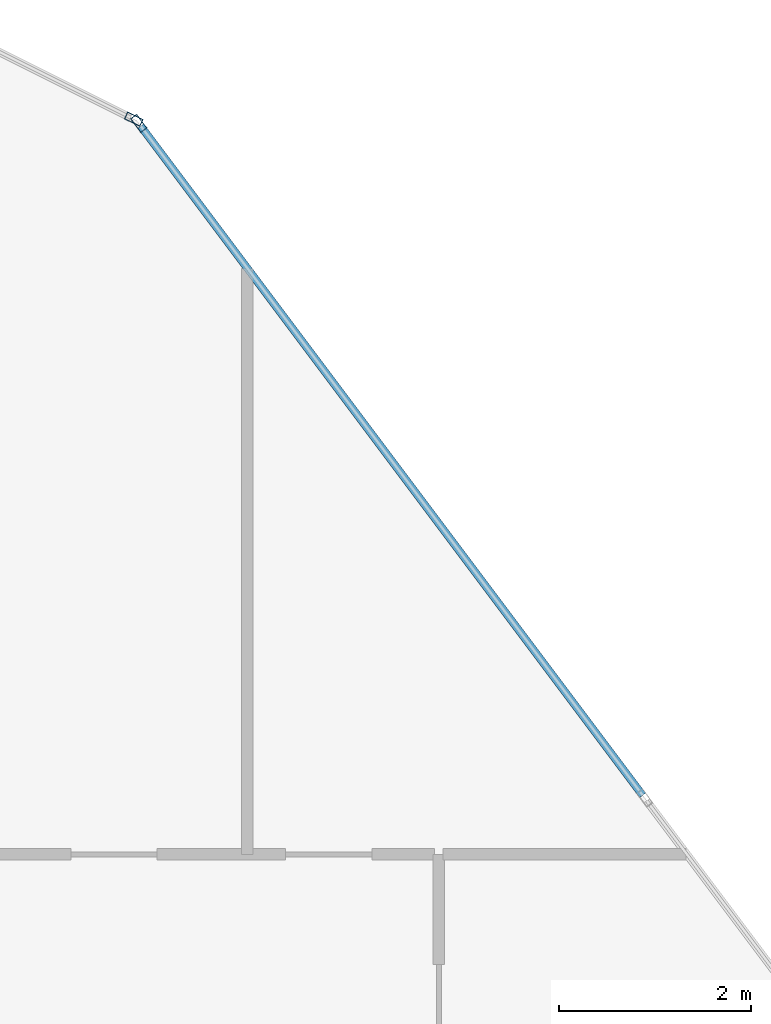
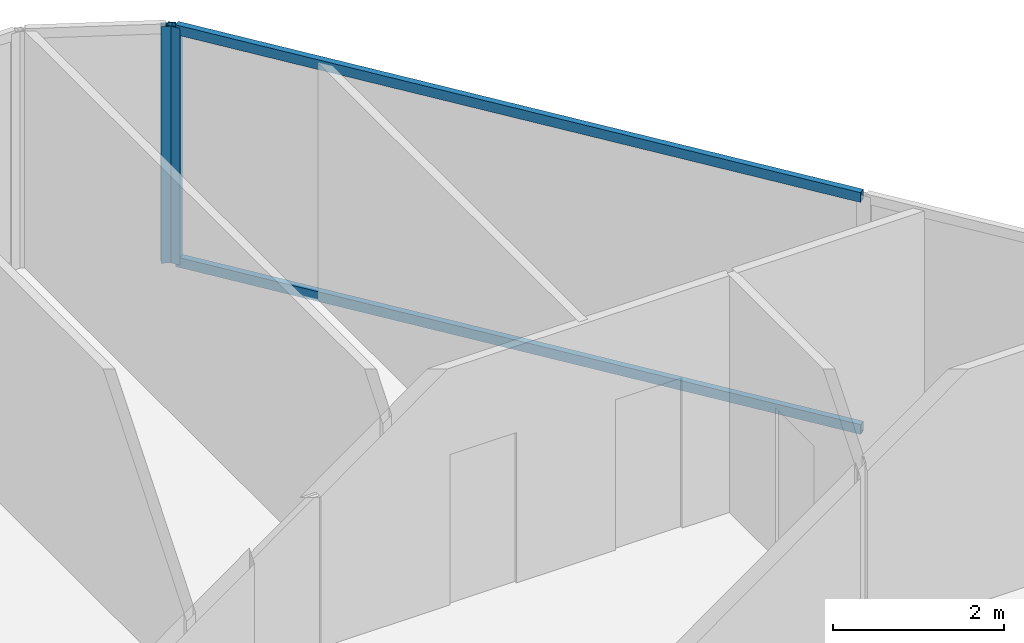
# One storey, part 22 of 32: 4 members, 2 elements without a shape of their own.
"""IFC4 building model written with IfcOpenShell, lengths in metres."""

from ifc_helpers import new_model, si_unit, direction, frame, origin, origin_2d, place, context, subcontext, project, spatial, hollow_rectangle, extrude, material, layer, layer_set, material_profile, profile_set, type_object, element, aggregate, save


model = new_model("IFC4")

# Units and contexts
model_context = context("Model", 3, precision=1e-05, world=origin(), true_north=direction((0.0, 1.0)))
body_context = subcontext(model_context, "Body", "Model", "MODEL_VIEW")
ifc_project = project(units=[si_unit("LENGTHUNIT", "METRE"), si_unit("AREAUNIT", "SQUARE_METRE"), si_unit("VOLUMEUNIT", "CUBIC_METRE"), si_unit("PLANEANGLEUNIT", "RADIAN"), si_unit("MASSUNIT", "GRAM", prefix="KILO")], contexts=[model_context])

# Site, building, storey
site_placement = place(None, origin())
site = spatial("IfcSite", under=ifc_project, at=site_placement, CompositionType="ELEMENT")
building_placement = place(site_placement, origin())
building = spatial("IfcBuilding", under=site, at=building_placement, Name="Keshet Zoharim Tower", CompositionType="ELEMENT")
storey_placement = place(building_placement, frame((0.0, 0.0, 137.199951171875)))
storey = spatial("IfcBuildingStorey", under=building, at=storey_placement, Name="L33", CompositionType="ELEMENT", Elevation=137.199951171875)

# Curtain wall, member
ifc_material = material(Name="Aluminium 6063-T6", Category="aluminium")
ifc_layer = layer(ifc_material, 0.159912109375)
ifc_layer_set = layer_set([ifc_layer], Name="Aluminium 6063-T6")
curtain_wall_type = type_object("IfcCurtainWallType", Name="CW-SYS-03", PredefinedType="NOTDEFINED", material=ifc_layer_set)
curtain_wall_1_placement = place(storey_placement, origin())
curtain_wall_1 = element("IfcCurtainWall", 1, at=curtain_wall_1_placement, inside=storey, type_object=curtain_wall_type, Name="L33 Unitised Curtain Wall 14", PredefinedType="NOTDEFINED")
ifc_material_profile_1 = material_profile(ifc_material, hollow_rectangle(XDim=0.080078125, YDim=0.179931640625, WallThickness=0.00439453125, at=origin_2d()), Name="MUL-80x180")
ifc_profile_set_1 = profile_set([ifc_material_profile_1], Name="Aluminium 6063-T6")
member_type_1 = type_object("IfcMemberType", Name="CWM-M18", PredefinedType="MULLION", material=ifc_profile_set_1)
member_1_placement = place(storey_placement, frame((51.568603515625, 53.11572265625, 0.0), z_axis=(0.0, 0.0, 1.0), x_axis=(0.447213595499, 0.894427191001, 0.0)))
member_1 = element("IfcMember", 2, at=member_1_placement, type_object=member_type_1, Name="CW-03 mullion 2", PredefinedType="MULLION", context=body_context, shape_type="SweptSolid", body=[
    extrude(hollow_rectangle(XDim=0.080078125, YDim=0.179931640625, WallThickness=0.00439453125, at=origin_2d()), origin(), (0.0, 0.0, 1.0), 3.385009765625),
])
aggregate(curtain_wall_1, [member_1])

# Curtain wall, members
curtain_wall_2_placement = place(storey_placement, origin())
curtain_wall_2 = element("IfcCurtainWall", 3, at=curtain_wall_2_placement, inside=storey, type_object=curtain_wall_type, Name="L33 Unitised Curtain Wall 15", PredefinedType="NOTDEFINED")
member_2_placement = place(storey_placement, frame((51.62109375, 53.072021484375, 0.0), z_axis=(0.0, 0.0, 1.0), x_axis=(0.799999999998, 0.600000000002, 0.0)))
member_2 = element("IfcMember", 4, at=member_2_placement, type_object=member_type_1, Name="CW-03 mullion 1", PredefinedType="MULLION", context=body_context, shape_type="SweptSolid", body=[
    extrude(hollow_rectangle(XDim=0.080078125, YDim=0.179931640625, WallThickness=0.00439453125, at=origin_2d()), origin(), (0.0, 0.0, 1.0), 3.385009765625),
])
ifc_material_profile_2 = material_profile(ifc_material, hollow_rectangle(XDim=0.080078125, YDim=0.139892578125, WallThickness=0.00390625, at=origin_2d()), Name="TRN-80x140")
ifc_profile_set_2 = profile_set([ifc_material_profile_2], Name="Aluminium 6063-T6")
member_type_2 = type_object("IfcMemberType", Name="CWT-T14", PredefinedType="USERDEFINED", material=ifc_profile_set_2)
member_3_placement = place(storey_placement, frame((51.64208984375, 53.0439453125, 0.03515625), z_axis=(0.599991043201, -0.800006717521, 0.0), x_axis=(0.800006717521, 0.599991043201, 0.0)))
member_3 = element("IfcMember", 5, at=member_3_placement, type_object=member_type_2, Name="CW-03 transom 1.1", ObjectType="TRANSOM", PredefinedType="USERDEFINED", context=body_context, shape_type="SweptSolid", body=[
    extrude(hollow_rectangle(XDim=0.080078125, YDim=0.139892578125, WallThickness=0.00390625, at=origin_2d()), origin(), (0.0, 0.0, 1.0), 8.722412109375),
])
member_4_placement = place(storey_placement, frame((51.64208984375, 53.0439453125, 3.35009765625), z_axis=(0.599991043201, -0.800006717521, 0.0), x_axis=(0.800006717521, 0.599991043201, 0.0)))
member_4 = element("IfcMember", 6, at=member_4_placement, type_object=member_type_2, Name="CW-03 transom 1.2", ObjectType="TRANSOM", PredefinedType="USERDEFINED", context=body_context, shape_type="SweptSolid", body=[
    extrude(hollow_rectangle(XDim=0.080078125, YDim=0.139892578125, WallThickness=0.00390625, at=origin_2d()), origin(), (0.0, 0.0, 1.0), 8.722412109375),
])
aggregate(curtain_wall_2, [member_2, member_3, member_4])

save(model, "model.ifc")
